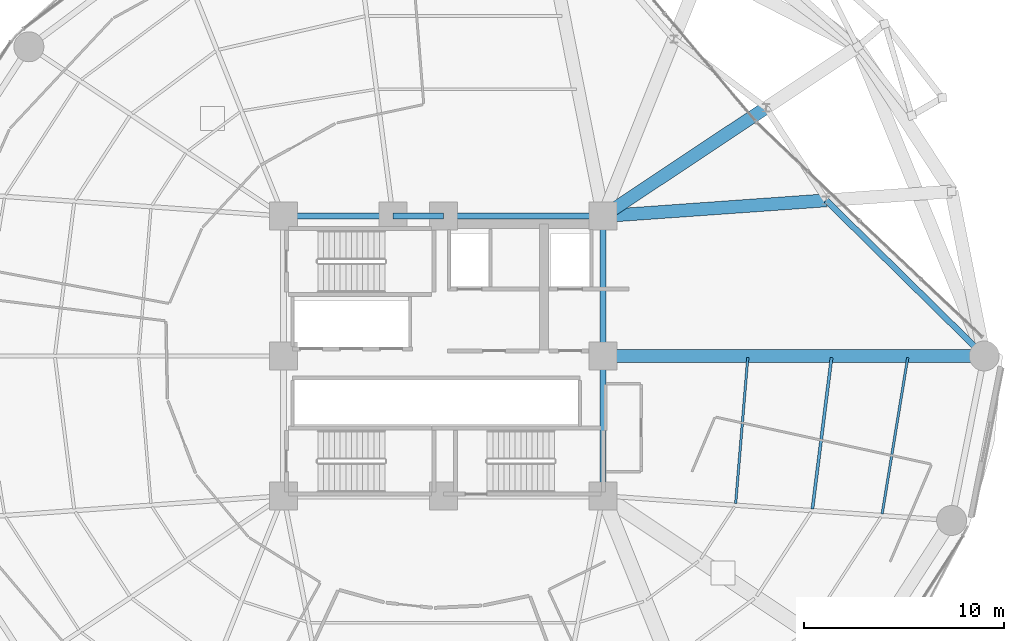
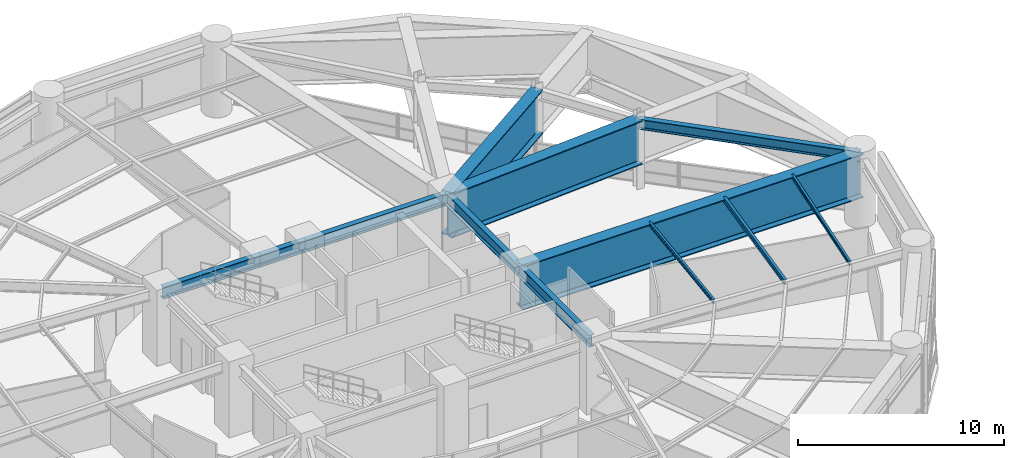
# One storey, part 23 of 52: 12 beams.
"""IFC4 building model written with IfcOpenShell, lengths in metres."""

from ifc_helpers import new_model, si_unit, direction, frame, origin, origin_2d, place, context, subcontext, project, spatial, i_section, extrude, material, material_profile, profile_set, type_object, element, save


model = new_model("IFC4")

# Units and contexts
model_context = context("Model", 3, precision=1e-05, world=origin(), true_north=direction((0.0, 1.0)))
body_context = subcontext(model_context, "Body", "Model", "MODEL_VIEW")
ifc_project = project(units=[si_unit("LENGTHUNIT", "METRE"), si_unit("AREAUNIT", "SQUARE_METRE"), si_unit("VOLUMEUNIT", "CUBIC_METRE"), si_unit("PLANEANGLEUNIT", "RADIAN"), si_unit("MASSUNIT", "GRAM", prefix="KILO")], contexts=[model_context])

# Site, building, storey
site_placement = place(None, origin())
site = spatial("IfcSite", under=ifc_project, at=site_placement, CompositionType="ELEMENT")
building_placement = place(site_placement, origin())
building = spatial("IfcBuilding", under=site, at=building_placement, Name="Kelanora Arch Commons", CompositionType="ELEMENT")
storey_placement = place(building_placement, frame((0.0, 0.0, 13.5)))
storey = spatial("IfcBuildingStorey", under=building, at=storey_placement, Name="L03", CompositionType="ELEMENT", Elevation=13.5)

# Beams
ifc_material = material(Name="Steel S355", Category="steel")
ifc_material_profile_1 = material_profile(ifc_material, i_section(OverallWidth=0.300048828125, OverallDepth=0.699951171875, WebThickness=0.01708984375, FlangeThickness=0.031982421875, FilletRadius=0.027099609375, at=origin_2d()), Name="HEB700")
ifc_profile_set_1 = profile_set([ifc_material_profile_1], Name="Steel S355")
beam_type_1 = type_object("IfcBeamType", Name="BM-CORE-HDR", PredefinedType="BEAM", material=ifc_profile_set_1)
for number, where, z_axis, x_axis, name in (
    (1, (82.0, 51.0, 3.75), (0.0, 1.0, 0.0), (-1.0, 0.0, 0.0), "Core Header Beam 03 L03"),
    (2, (82.0, 58.0, 3.75), (0.0, 1.0, 0.0), (-1.0, 0.0, 0.0), "Core Header Beam 04 L03"),
):
    element("IfcBeam", number, at=place(storey_placement, frame(where, z_axis=z_axis, x_axis=x_axis)), inside=storey, type_object=beam_type_1, Name=name, PredefinedType="BEAM", context=body_context, shape_type="SweptSolid", body=[
        extrude(i_section(OverallWidth=0.300048828125, OverallDepth=0.699951171875, WebThickness=0.01708984375, FlangeThickness=0.031982421875, FilletRadius=0.027099609375, at=origin_2d()), origin(), (0.0, 0.0, 1.0), 7.0),
    ])
beam_1_placement = place(storey_placement, frame((82.0, 65.0, 3.75), z_axis=(-1.0, 0.0, 0.0), x_axis=(0.0, -1.0, 0.0)))
element("IfcBeam", 3, at=beam_1_placement, inside=storey, type_object=beam_type_1, Name="Core Header Beam 05 L03", PredefinedType="BEAM", context=body_context, shape_type="SweptSolid", body=[
    extrude(i_section(OverallWidth=0.300048828125, OverallDepth=0.699951171875, WebThickness=0.01708984375, FlangeThickness=0.031982421875, FilletRadius=0.027099609375, at=origin_2d()), origin(), (0.0, 0.0, 1.0), 8.0),
])
beam_2_placement = place(storey_placement, frame((74.0, 65.0, 3.75), z_axis=(-1.0, 0.0, 0.0), x_axis=(0.0, -1.0, 0.0)))
element("IfcBeam", 4, at=beam_2_placement, inside=storey, type_object=beam_type_1, Name="Core Header Beam 06 L03", PredefinedType="BEAM", context=body_context, shape_type="SweptSolid", body=[
    extrude(i_section(OverallWidth=0.300048828125, OverallDepth=0.699951171875, WebThickness=0.01708984375, FlangeThickness=0.031982421875, FilletRadius=0.027099609375, at=origin_2d()), origin(), (0.0, 0.0, 1.0), 2.52001953125),
])
beam_3_placement = place(storey_placement, frame((71.47998046875, 65.0, 3.75), z_axis=(-1.0, 0.0, 0.0), x_axis=(0.0, -1.0, 0.0)))
element("IfcBeam", 5, at=beam_3_placement, inside=storey, type_object=beam_type_1, Name="Core Header Beam 07 L03", PredefinedType="BEAM", context=body_context, shape_type="SweptSolid", body=[
    extrude(i_section(OverallWidth=0.300048828125, OverallDepth=0.699951171875, WebThickness=0.01708984375, FlangeThickness=0.031982421875, FilletRadius=0.027099609375, at=origin_2d()), origin(), (0.0, 0.0, 1.0), 5.47998046875),
])
ifc_material_profile_2 = material_profile(ifc_material, i_section(OverallWidth=0.14990234375, OverallDepth=0.300048828125, WebThickness=0.007080078125, FlangeThickness=0.0107421875, FilletRadius=0.014892578125, at=origin_2d()), Name="IPE300")
ifc_profile_set_2 = profile_set([ifc_material_profile_2], Name="Steel S355")
beam_type_2 = type_object("IfcBeamType", Name="BM-JST-01", PredefinedType="JOIST", material=ifc_profile_set_2)
beam_4_placement = place(storey_placement, frame((92.478759765625, 50.3427734375, 3.949951171875), z_axis=(0.125565841651, 0.992085288375, 0.0), x_axis=(-0.992085288375, 0.125565841651, 0.0)))
element("IfcBeam", 6, at=beam_4_placement, inside=storey, type_object=beam_type_2, Name="Secondary Chord Joist BJB-34 L03", PredefinedType="JOIST", context=body_context, shape_type="SweptSolid", body=[
    extrude(i_section(OverallWidth=0.14990234375, OverallDepth=0.300048828125, WebThickness=0.007080078125, FlangeThickness=0.0107421875, FilletRadius=0.014892578125, at=origin_2d()), origin(), (0.0, 0.0, 1.0), 7.63330078125),
])
ifc_material_profile_3 = material_profile(ifc_material, i_section(OverallWidth=0.1201171875, OverallDepth=0.239990234375, WebThickness=0.006103515625, FlangeThickness=0.009765625, FilletRadius=0.014892578125, at=origin_2d()), Name="IPE240")
ifc_profile_set_3 = profile_set([ifc_material_profile_3], Name="Steel S355")
beam_type_3 = type_object("IfcBeamType", Name="BM-JST-02", PredefinedType="JOIST", material=ifc_profile_set_3)
beam_5_placement = place(storey_placement, frame((88.636962890625, 50.614990234375, 3.97998046875), z_axis=(0.082786209886, 0.996567330115, 0.0), x_axis=(-0.996567330115, 0.082786209886, 0.0)))
element("IfcBeam", 7, at=beam_5_placement, inside=storey, type_object=beam_type_3, Name="Secondary Chord Joist BJA-34 L03", PredefinedType="JOIST", context=body_context, shape_type="SweptSolid", body=[
    extrude(i_section(OverallWidth=0.1201171875, OverallDepth=0.239990234375, WebThickness=0.006103515625, FlangeThickness=0.009765625, FilletRadius=0.014892578125, at=origin_2d()), origin(), (0.0, 0.0, 1.0), 7.325439453125),
])
beam_6_placement = place(storey_placement, frame((95.97119140625, 50.09521484375, 3.97998046875), z_axis=(0.161400737199, 0.986888951216, 0.0), x_axis=(-0.986888951216, 0.161400737199, 0.0)))
element("IfcBeam", 8, at=beam_6_placement, inside=storey, type_object=beam_type_3, Name="Secondary Chord Joist BJC-34 L03", PredefinedType="JOIST", context=body_context, shape_type="SweptSolid", body=[
    extrude(i_section(OverallWidth=0.1201171875, OverallDepth=0.239990234375, WebThickness=0.006103515625, FlangeThickness=0.009765625, FilletRadius=0.014892578125, at=origin_2d()), origin(), (0.0, 0.0, 1.0), 7.9248046875),
])
ifc_material_profile_4 = material_profile(ifc_material, i_section(OverallWidth=0.300048828125, OverallDepth=0.60009765625, WebThickness=0.015380859375, FlangeThickness=0.030029296875, FilletRadius=0.027099609375, at=origin_2d()), Name="HEB600")
ifc_profile_set_4 = profile_set([ifc_material_profile_4], Name="Steel S355")
beam_type_4 = type_object("IfcBeamType", Name="BM-SPN-Z1", PredefinedType="SPANDREL", material=ifc_profile_set_4)
beam_7_placement = place(storey_placement, frame((101.080078125, 58.0, 3.800048828125), z_axis=(-0.712624982372, 0.701545176378, 0.0), x_axis=(-0.701545176378, -0.712624982372, 0.0)))
element("IfcBeam", 9, at=beam_7_placement, inside=storey, type_object=beam_type_4, Name="Arch Concourse Inner Edge Spandrel BSA-00 L03", PredefinedType="SPANDREL", context=body_context, shape_type="SweptSolid", body=[
    extrude(i_section(OverallWidth=0.300048828125, OverallDepth=0.60009765625, WebThickness=0.015380859375, FlangeThickness=0.030029296875, FilletRadius=0.027099609375, at=origin_2d()), origin(), (0.0, 0.0, 1.0), 11.10546875),
])
ifc_material_profile_5 = material_profile(ifc_material, i_section(OverallWidth=0.64990234375, OverallDepth=2.60009765625, WebThickness=0.034912109375, FlangeThickness=0.054931640625, FilletRadius=0.028076171875, at=origin_2d()), Name="PG2600x650")
ifc_profile_set_5 = profile_set([ifc_material_profile_5], Name="Steel S355")
beam_type_5 = type_object("IfcBeamType", Name="BM-XFER-ARCH", PredefinedType="USERDEFINED", material=ifc_profile_set_5)
beam_8_placement = place(storey_placement, frame((82.0, 58.0, 2.800048828125), z_axis=(1.0, 0.0, 0.0), x_axis=(0.0, 1.0, 0.0)))
element("IfcBeam", 10, at=beam_8_placement, inside=storey, type_object=beam_type_5, Name="Radial Floor Girder BR-00 L03", ObjectType="TRANSFER_GIRDER", PredefinedType="USERDEFINED", context=body_context, shape_type="SweptSolid", body=[
    extrude(i_section(OverallWidth=0.64990234375, OverallDepth=2.60009765625, WebThickness=0.034912109375, FlangeThickness=0.054931640625, FilletRadius=0.028076171875, at=origin_2d()), origin(), (0.0, 0.0, 1.0), 19.080078125),
])
beam_9_placement = place(storey_placement, frame((82.0, 65.0, 2.800048828125), z_axis=(0.997500156706, 0.070664258084, 0.0), x_axis=(-0.070664258084, 0.997500156706, 0.0)))
element("IfcBeam", 11, at=beam_9_placement, inside=storey, type_object=beam_type_5, Name="Radial Inner Transfer Girder BRI-02 L03", ObjectType="TRANSFER_GIRDER", PredefinedType="USERDEFINED", context=body_context, shape_type="SweptSolid", body=[
    extrude(i_section(OverallWidth=0.64990234375, OverallDepth=2.60009765625, WebThickness=0.034912109375, FlangeThickness=0.054931640625, FilletRadius=0.028076171875, at=origin_2d()), origin(), (0.0, 0.0, 1.0), 11.194091796875),
])
beam_10_placement = place(storey_placement, frame((82.0, 65.0, 2.800048828125), z_axis=(0.832598158113, 0.553877519951, 0.0), x_axis=(-0.553877519951, 0.832598158113, 0.0)))
element("IfcBeam", 12, at=beam_10_placement, inside=storey, type_object=beam_type_5, Name="Radial Inner Transfer Girder BRI-04 L03", ObjectType="TRANSFER_GIRDER", PredefinedType="USERDEFINED", context=body_context, shape_type="SweptSolid", body=[
    extrude(i_section(OverallWidth=0.64990234375, OverallDepth=2.60009765625, WebThickness=0.034912109375, FlangeThickness=0.054931640625, FilletRadius=0.028076171875, at=origin_2d()), origin(), (0.0, 0.0, 1.0), 9.79638671875),
])

save(model, "model.ifc")
